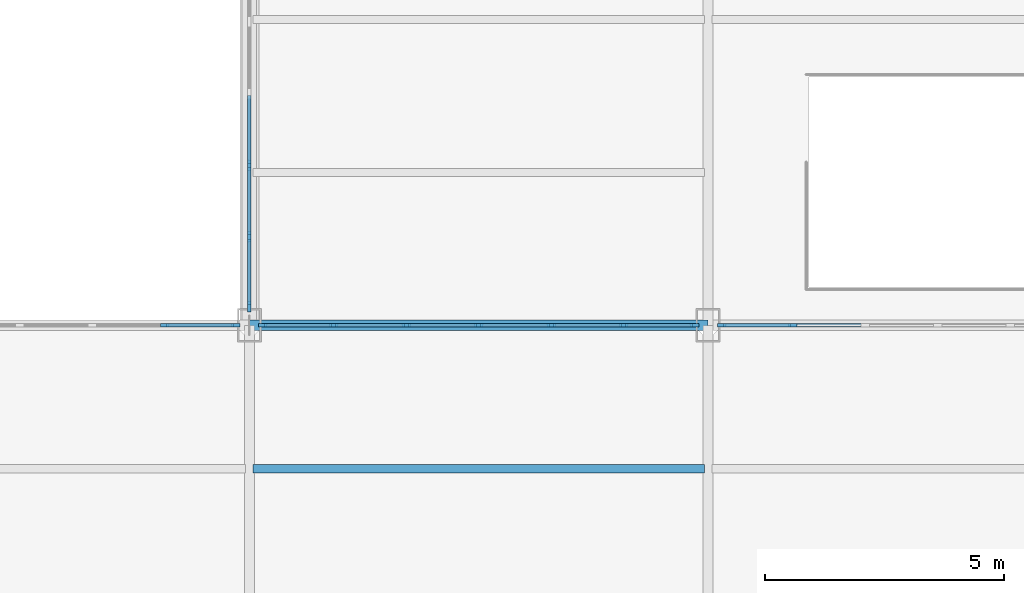
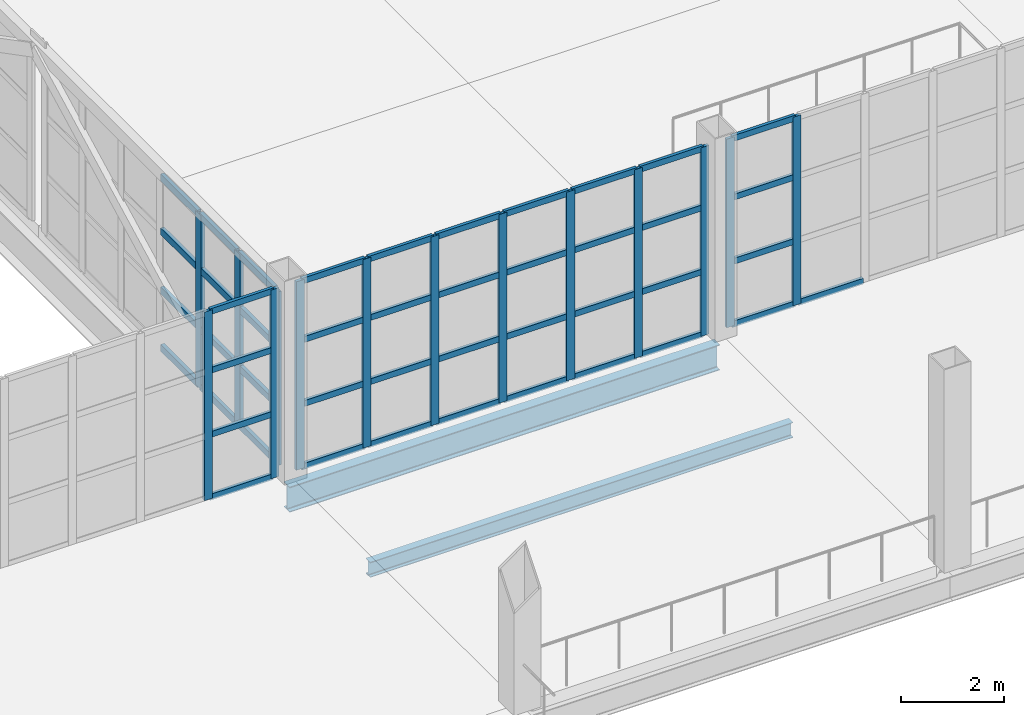
# One storey, part 42 of 120: 59 members, 2 beams, 4 elements without a shape of their own.
"""IFC4 building model written with IfcOpenShell, lengths in metres."""

from ifc_helpers import new_model, si_unit, direction, frame, origin, origin_2d, place, context, subcontext, project, spatial, rectangle, i_section, extrude, material, layer, layer_set, material_profile, profile_set, type_object, element, aggregate, save


model = new_model("IFC4")

# Units and contexts
model_context = context("Model", 3, precision=1e-05, world=origin(), true_north=direction((0.0, 1.0)))
body_context = subcontext(model_context, "Body", "Model", "MODEL_VIEW")
ifc_project = project(units=[si_unit("LENGTHUNIT", "METRE"), si_unit("AREAUNIT", "SQUARE_METRE"), si_unit("VOLUMEUNIT", "CUBIC_METRE"), si_unit("PLANEANGLEUNIT", "RADIAN"), si_unit("MASSUNIT", "GRAM", prefix="KILO")], contexts=[model_context])

# Site, building, storey
site_placement = place(None, origin())
site = spatial("IfcSite", under=ifc_project, at=site_placement, CompositionType="ELEMENT")
building_placement = place(site_placement, origin())
building = spatial("IfcBuilding", under=site, at=building_placement, Name="Zarnetskaya Central Station", CompositionType="ELEMENT")
storey_placement = place(building_placement, frame((0.0, 0.0, 5.39990234375)))
storey = spatial("IfcBuildingStorey", under=building, at=storey_placement, Name="L01", CompositionType="ELEMENT", Elevation=5.39990234375)

# Beam
ifc_material_1 = material(Name="Steel S355", Category="steel")
ifc_material_profile_1 = material_profile(ifc_material_1, i_section(OverallWidth=0.169921875, OverallDepth=0.360107421875, WebThickness=0.008056640625, FlangeThickness=0.0126953125, FilletRadius=0.01806640625, at=origin_2d()), Name="IPE 360")
ifc_profile_set_1 = profile_set([ifc_material_profile_1], Name="Steel S355")
beam_type_1 = type_object("IfcBeamType", Name="BM-SEC-360", PredefinedType="BEAM", material=ifc_profile_set_1)
beam_1_placement = place(storey_placement, frame((67.280029296875, 64.199951171875, -0.4599609375), z_axis=(1.0, 0.0, 0.0), x_axis=(0.0, 1.0, 0.0)))
element("IfcBeam", 1, at=beam_1_placement, inside=storey, type_object=beam_type_1, Name="Secondary floor beam SEC-L01-Z512-HJ-89-2", PredefinedType="BEAM", context=body_context, shape_type="SweptSolid", body=[
    extrude(i_section(OverallWidth=0.169921875, OverallDepth=0.360107421875, WebThickness=0.008056640625, FlangeThickness=0.0126953125, FilletRadius=0.01806640625, at=origin_2d()), origin(), (0.0, 0.0, 1.0), 9.43994140625),
])

# Curtain wall, members
ifc_material_2 = material(Name="Low-E insulated glass", Category="glass")
ifc_layer_1 = layer(ifc_material_2, 0.159912109375, Name="Low-E insulated glass", Category="glass")
ifc_layer_set_1 = layer_set([ifc_layer_1], Name="Low-E insulated glass")
curtain_wall_type_1 = type_object("IfcCurtainWallType", Name="CW-SYS-11", PredefinedType="USERDEFINED", material=ifc_layer_set_1)
curtain_wall_1_placement = place(storey_placement, origin())
curtain_wall_1 = element("IfcCurtainWall", 2, at=curtain_wall_1_placement, inside=storey, type_object=curtain_wall_type_1, Name="Curtain wall CW-L01-075", ObjectType="CURTAIN WALL", PredefinedType="USERDEFINED")
ifc_material_3 = material(Name="Anodised aluminium", Category="aluminium")
ifc_material_profile_2 = material_profile(ifc_material_3, rectangle(XDim=0.070068359375, YDim=0.179931640625, at=origin_2d()), Name="ALU MULL 70x180")
ifc_profile_set_2 = profile_set([ifc_material_profile_2], Name="Anodised aluminium")
member_type_1 = type_object("IfcMemberType", Name="CW-MULL-180", PredefinedType="MULLION", material=ifc_profile_set_2)
member_1_placement = place(storey_placement, frame((65.433349609375, 67.199951171875, 0.0), z_axis=(0.0, 0.0, 1.0), x_axis=(0.0, 1.0, 0.0)))
member_1 = element("IfcMember", 3, at=member_1_placement, type_object=member_type_1, Name="CW-09 mullion 6", PredefinedType="MULLION", context=body_context, shape_type="SweptSolid", body=[
    extrude(rectangle(XDim=0.070068359375, YDim=0.179931640625, at=origin_2d()), origin(), (0.0, 0.0, 1.0), 4.4501953125),
])
member_2_placement = place(storey_placement, frame((66.9150390625, 67.199951171875, 0.0), z_axis=(0.0, 0.0, 1.0), x_axis=(0.0, 1.0, 0.0)))
member_2 = element("IfcMember", 4, at=member_2_placement, type_object=member_type_1, Name="CW-09 mullion 7", PredefinedType="MULLION", context=body_context, shape_type="SweptSolid", body=[
    extrude(rectangle(XDim=0.070068359375, YDim=0.179931640625, at=origin_2d()), origin(), (0.0, 0.0, 1.0), 4.4501953125),
])

ifc_layer_2 = layer(ifc_material_2, 0.1640625, Name="Low-E insulated glass", Category="glass")
ifc_layer_set_2 = layer_set([ifc_layer_2], Name="Low-E insulated glass")
curtain_wall_type_2 = type_object("IfcCurtainWallType", Name="CW-SYS-12", PredefinedType="USERDEFINED", material=ifc_layer_set_2)
curtain_wall_2_placement = place(storey_placement, origin())
curtain_wall_2 = element("IfcCurtainWall", 5, at=curtain_wall_2_placement, inside=storey, type_object=curtain_wall_type_2, Name="Curtain wall CW-L01-077", ObjectType="CURTAIN WALL", PredefinedType="USERDEFINED")
member_3_placement = place(storey_placement, frame((67.485107421875, 67.199951171875, 0.0), z_axis=(0.0, 0.0, 1.0), x_axis=(0.0, 1.0, 0.0)))
member_3 = element("IfcMember", 6, at=member_3_placement, type_object=member_type_1, Name="CW-18 mullion 1", PredefinedType="MULLION", context=body_context, shape_type="SweptSolid", body=[
    extrude(rectangle(XDim=0.070068359375, YDim=0.179931640625, at=origin_2d()), origin(), (0.0, 0.0, 1.0), 4.4501953125),
])
member_4_placement = place(storey_placement, frame((68.966552734375, 67.199951171875, 0.0), z_axis=(0.0, 0.0, 1.0), x_axis=(0.0, 1.0, 0.0)))
member_4 = element("IfcMember", 7, at=member_4_placement, type_object=member_type_1, Name="CW-18 mullion 2", PredefinedType="MULLION", context=body_context, shape_type="SweptSolid", body=[
    extrude(rectangle(XDim=0.070068359375, YDim=0.179931640625, at=origin_2d()), origin(), (0.0, 0.0, 1.0), 4.4501953125),
])
member_5_placement = place(storey_placement, frame((70.4833984375, 67.199951171875, 0.0), z_axis=(0.0, 0.0, 1.0), x_axis=(0.0, 1.0, 0.0)))
member_5 = element("IfcMember", 8, at=member_5_placement, type_object=member_type_1, Name="CW-18 mullion 3", PredefinedType="MULLION", context=body_context, shape_type="SweptSolid", body=[
    extrude(rectangle(XDim=0.070068359375, YDim=0.179931640625, at=origin_2d()), origin(), (0.0, 0.0, 1.0), 4.4501953125),
])
member_6_placement = place(storey_placement, frame((72.0, 67.199951171875, 0.0), z_axis=(0.0, 0.0, 1.0), x_axis=(0.0, 1.0, 0.0)))
member_6 = element("IfcMember", 9, at=member_6_placement, type_object=member_type_1, Name="CW-18 mullion 4", PredefinedType="MULLION", context=body_context, shape_type="SweptSolid", body=[
    extrude(rectangle(XDim=0.070068359375, YDim=0.179931640625, at=origin_2d()), origin(), (0.0, 0.0, 1.0), 4.4501953125),
])
member_7_placement = place(storey_placement, frame((73.5166015625, 67.199951171875, 0.0), z_axis=(0.0, 0.0, 1.0), x_axis=(0.0, 1.0, 0.0)))
member_7 = element("IfcMember", 10, at=member_7_placement, type_object=member_type_1, Name="CW-18 mullion 5", PredefinedType="MULLION", context=body_context, shape_type="SweptSolid", body=[
    extrude(rectangle(XDim=0.070068359375, YDim=0.179931640625, at=origin_2d()), origin(), (0.0, 0.0, 1.0), 4.4501953125),
])
member_8_placement = place(storey_placement, frame((75.033447265625, 67.199951171875, 0.0), z_axis=(0.0, 0.0, 1.0), x_axis=(0.0, 1.0, 0.0)))
member_8 = element("IfcMember", 11, at=member_8_placement, type_object=member_type_1, Name="CW-18 mullion 6", PredefinedType="MULLION", context=body_context, shape_type="SweptSolid", body=[
    extrude(rectangle(XDim=0.070068359375, YDim=0.179931640625, at=origin_2d()), origin(), (0.0, 0.0, 1.0), 4.4501953125),
])
member_9_placement = place(storey_placement, frame((76.514892578125, 67.199951171875, 0.0), z_axis=(0.0, 0.0, 1.0), x_axis=(0.0, 1.0, 0.0)))
member_9 = element("IfcMember", 12, at=member_9_placement, type_object=member_type_1, Name="CW-18 mullion 7", PredefinedType="MULLION", context=body_context, shape_type="SweptSolid", body=[
    extrude(rectangle(XDim=0.070068359375, YDim=0.179931640625, at=origin_2d()), origin(), (0.0, 0.0, 1.0), 4.4501953125),
])

ifc_layer_3 = layer(ifc_material_2, 0.16796875, Name="Low-E insulated glass", Category="glass")
ifc_layer_set_3 = layer_set([ifc_layer_3], Name="Low-E insulated glass")
curtain_wall_type_3 = type_object("IfcCurtainWallType", Name="CW-SYS-13", PredefinedType="USERDEFINED", material=ifc_layer_set_3)
curtain_wall_3_placement = place(storey_placement, origin())
curtain_wall_3 = element("IfcCurtainWall", 13, at=curtain_wall_3_placement, inside=storey, type_object=curtain_wall_type_3, Name="Curtain wall CW-L01-079", ObjectType="CURTAIN WALL", PredefinedType="USERDEFINED")
member_10_placement = place(storey_placement, frame((77.0849609375, 67.199951171875, 0.0), z_axis=(0.0, 0.0, 1.0), x_axis=(0.0, 1.0, 0.0)))
member_10 = element("IfcMember", 14, at=member_10_placement, type_object=member_type_1, Name="CW-04 mullion 1", PredefinedType="MULLION", context=body_context, shape_type="SweptSolid", body=[
    extrude(rectangle(XDim=0.070068359375, YDim=0.179931640625, at=origin_2d()), origin(), (0.0, 0.0, 1.0), 4.4501953125),
])
member_11_placement = place(storey_placement, frame((78.566650390625, 67.199951171875, 0.0), z_axis=(0.0, 0.0, 1.0), x_axis=(0.0, 1.0, 0.0)))
member_11 = element("IfcMember", 15, at=member_11_placement, type_object=member_type_1, Name="CW-04 mullion 2", PredefinedType="MULLION", context=body_context, shape_type="SweptSolid", body=[
    extrude(rectangle(XDim=0.070068359375, YDim=0.179931640625, at=origin_2d()), origin(), (0.0, 0.0, 1.0), 4.4501953125),
])

ifc_layer_4 = layer(ifc_material_2, 0.172119140625, Name="Low-E insulated glass", Category="glass")
ifc_layer_set_4 = layer_set([ifc_layer_4], Name="Low-E insulated glass")
curtain_wall_type_4 = type_object("IfcCurtainWallType", Name="CW-SYS-09", PredefinedType="USERDEFINED", material=ifc_layer_set_4)
curtain_wall_4_placement = place(storey_placement, origin())
curtain_wall_4 = element("IfcCurtainWall", 16, at=curtain_wall_4_placement, inside=storey, type_object=curtain_wall_type_4, Name="Curtain wall CW-L01-146", ObjectType="CURTAIN WALL", PredefinedType="USERDEFINED")
ifc_material_profile_3 = material_profile(ifc_material_3, rectangle(XDim=0.080078125, YDim=0.219970703125, at=origin_2d()), Name="ALU MULL 80x220")
ifc_profile_set_3 = profile_set([ifc_material_profile_3], Name="Anodised aluminium")
member_type_2 = type_object("IfcMemberType", Name="CW-MULL-220", PredefinedType="MULLION", material=ifc_profile_set_3)
member_12_placement = place(storey_placement, frame((67.199951171875, 67.590087890625, 0.0), z_axis=(0.0, 0.0, 1.0), x_axis=(-1.0, 0.0, 0.0)))
member_12 = element("IfcMember", 17, at=member_12_placement, type_object=member_type_2, Name="CW-07 mullion 1", PredefinedType="MULLION", context=body_context, shape_type="SweptSolid", body=[
    extrude(rectangle(XDim=0.080078125, YDim=0.219970703125, at=origin_2d()), origin(), (0.0, 0.0, 1.0), 4.10009765625),
])
member_13_placement = place(storey_placement, frame((67.199951171875, 69.050048828125, 0.0), z_axis=(0.0, 0.0, 1.0), x_axis=(-1.0, 0.0, 0.0)))
member_13 = element("IfcMember", 18, at=member_13_placement, type_object=member_type_2, Name="CW-07 mullion 2", PredefinedType="MULLION", context=body_context, shape_type="SweptSolid", body=[
    extrude(rectangle(XDim=0.080078125, YDim=0.219970703125, at=origin_2d()), origin(), (0.0, 0.0, 1.0), 4.10009765625),
])
member_14_placement = place(storey_placement, frame((67.199951171875, 70.550048828125, 0.0), z_axis=(0.0, 0.0, 1.0), x_axis=(-1.0, 0.0, 0.0)))
member_14 = element("IfcMember", 19, at=member_14_placement, type_object=member_type_2, Name="CW-07 mullion 3", PredefinedType="MULLION", context=body_context, shape_type="SweptSolid", body=[
    extrude(rectangle(XDim=0.080078125, YDim=0.219970703125, at=origin_2d()), origin(), (0.0, 0.0, 1.0), 4.10009765625),
])

# Member
ifc_material_profile_4 = material_profile(ifc_material_3, rectangle(XDim=0.070068359375, YDim=0.139892578125, at=origin_2d()), Name="ALU TRAN 70x140")
ifc_profile_set_4 = profile_set([ifc_material_profile_4], Name="Anodised aluminium")
member_type_3 = type_object("IfcMemberType", Name="CW-TRAN-140", PredefinedType="USERDEFINED", material=ifc_profile_set_4)
member_15_placement = place(storey_placement, frame((65.46826171875, 67.199951171875, 0.03515625), z_axis=(1.0, 0.0, 0.0), x_axis=(0.0, 1.0, 0.0)))
member_15 = element("IfcMember", 20, at=member_15_placement, type_object=member_type_3, Name="CW-09 transom 6.1", ObjectType="TRANSOM", PredefinedType="USERDEFINED", context=body_context, shape_type="SweptSolid", body=[
    extrude(rectangle(XDim=0.070068359375, YDim=0.139892578125, at=origin_2d()), origin(), (0.0, 0.0, 1.0), 1.41162109375),
])

member_16_placement = place(storey_placement, frame((65.46826171875, 67.199951171875, 1.51318359375), z_axis=(1.0, 0.0, 0.0), x_axis=(0.0, 1.0, 0.0)))
member_16 = element("IfcMember", 21, at=member_16_placement, type_object=member_type_3, Name="CW-09 transom 6.2", ObjectType="TRANSOM", PredefinedType="USERDEFINED", context=body_context, shape_type="SweptSolid", body=[
    extrude(rectangle(XDim=0.070068359375, YDim=0.139892578125, at=origin_2d()), origin(), (0.0, 0.0, 1.0), 1.41162109375),
])

member_17_placement = place(storey_placement, frame((65.46826171875, 67.199951171875, 3.026123046875), z_axis=(1.0, 0.0, 0.0), x_axis=(0.0, 1.0, 0.0)))
member_17 = element("IfcMember", 22, at=member_17_placement, type_object=member_type_3, Name="CW-09 transom 6.3", ObjectType="TRANSOM", PredefinedType="USERDEFINED", context=body_context, shape_type="SweptSolid", body=[
    extrude(rectangle(XDim=0.070068359375, YDim=0.139892578125, at=origin_2d()), origin(), (0.0, 0.0, 1.0), 1.41162109375),
])

member_18_placement = place(storey_placement, frame((65.46826171875, 67.199951171875, 4.4150390625), z_axis=(1.0, 0.0, 0.0), x_axis=(0.0, 1.0, 0.0)))
member_18 = element("IfcMember", 23, at=member_18_placement, type_object=member_type_3, Name="CW-09 transom 6.4", ObjectType="TRANSOM", PredefinedType="USERDEFINED", context=body_context, shape_type="SweptSolid", body=[
    extrude(rectangle(XDim=0.070068359375, YDim=0.139892578125, at=origin_2d()), origin(), (0.0, 0.0, 1.0), 1.41162109375),
])

aggregate(curtain_wall_1, [member_1, member_2, member_15, member_16, member_17, member_18])

member_19_placement = place(storey_placement, frame((67.52001953125, 67.199951171875, 0.03515625), z_axis=(1.0, 0.0, 0.0), x_axis=(0.0, 1.0, 0.0)))
member_19 = element("IfcMember", 24, at=member_19_placement, type_object=member_type_3, Name="CW-18 transom 1.1", ObjectType="TRANSOM", PredefinedType="USERDEFINED", context=body_context, shape_type="SweptSolid", body=[
    extrude(rectangle(XDim=0.070068359375, YDim=0.139892578125, at=origin_2d()), origin(), (0.0, 0.0, 1.0), 1.41162109375),
])

member_20_placement = place(storey_placement, frame((67.52001953125, 67.199951171875, 1.51318359375), z_axis=(1.0, 0.0, 0.0), x_axis=(0.0, 1.0, 0.0)))
member_20 = element("IfcMember", 25, at=member_20_placement, type_object=member_type_3, Name="CW-18 transom 1.2", ObjectType="TRANSOM", PredefinedType="USERDEFINED", context=body_context, shape_type="SweptSolid", body=[
    extrude(rectangle(XDim=0.070068359375, YDim=0.139892578125, at=origin_2d()), origin(), (0.0, 0.0, 1.0), 1.41162109375),
])

member_21_placement = place(storey_placement, frame((67.52001953125, 67.199951171875, 3.026123046875), z_axis=(1.0, 0.0, 0.0), x_axis=(0.0, 1.0, 0.0)))
member_21 = element("IfcMember", 26, at=member_21_placement, type_object=member_type_3, Name="CW-18 transom 1.3", ObjectType="TRANSOM", PredefinedType="USERDEFINED", context=body_context, shape_type="SweptSolid", body=[
    extrude(rectangle(XDim=0.070068359375, YDim=0.139892578125, at=origin_2d()), origin(), (0.0, 0.0, 1.0), 1.41162109375),
])

member_22_placement = place(storey_placement, frame((67.52001953125, 67.199951171875, 4.4150390625), z_axis=(1.0, 0.0, 0.0), x_axis=(0.0, 1.0, 0.0)))
member_22 = element("IfcMember", 27, at=member_22_placement, type_object=member_type_3, Name="CW-18 transom 1.4", ObjectType="TRANSOM", PredefinedType="USERDEFINED", context=body_context, shape_type="SweptSolid", body=[
    extrude(rectangle(XDim=0.070068359375, YDim=0.139892578125, at=origin_2d()), origin(), (0.0, 0.0, 1.0), 1.41162109375),
])

member_23_placement = place(storey_placement, frame((69.001708984375, 67.199951171875, 0.03515625), z_axis=(1.0, 0.0, 0.0), x_axis=(0.0, 1.0, 0.0)))
member_23 = element("IfcMember", 28, at=member_23_placement, type_object=member_type_3, Name="CW-18 transom 2.1", ObjectType="TRANSOM", PredefinedType="USERDEFINED", context=body_context, shape_type="SweptSolid", body=[
    extrude(rectangle(XDim=0.070068359375, YDim=0.139892578125, at=origin_2d()), origin(), (0.0, 0.0, 1.0), 1.446533203125),
])

member_24_placement = place(storey_placement, frame((69.001708984375, 67.199951171875, 1.51318359375), z_axis=(1.0, 0.0, 0.0), x_axis=(0.0, 1.0, 0.0)))
member_24 = element("IfcMember", 29, at=member_24_placement, type_object=member_type_3, Name="CW-18 transom 2.2", ObjectType="TRANSOM", PredefinedType="USERDEFINED", context=body_context, shape_type="SweptSolid", body=[
    extrude(rectangle(XDim=0.070068359375, YDim=0.139892578125, at=origin_2d()), origin(), (0.0, 0.0, 1.0), 1.446533203125),
])

member_25_placement = place(storey_placement, frame((69.001708984375, 67.199951171875, 3.026123046875), z_axis=(1.0, 0.0, 0.0), x_axis=(0.0, 1.0, 0.0)))
member_25 = element("IfcMember", 30, at=member_25_placement, type_object=member_type_3, Name="CW-18 transom 2.3", ObjectType="TRANSOM", PredefinedType="USERDEFINED", context=body_context, shape_type="SweptSolid", body=[
    extrude(rectangle(XDim=0.070068359375, YDim=0.139892578125, at=origin_2d()), origin(), (0.0, 0.0, 1.0), 1.446533203125),
])

member_26_placement = place(storey_placement, frame((69.001708984375, 67.199951171875, 4.4150390625), z_axis=(1.0, 0.0, 0.0), x_axis=(0.0, 1.0, 0.0)))
member_26 = element("IfcMember", 31, at=member_26_placement, type_object=member_type_3, Name="CW-18 transom 2.4", ObjectType="TRANSOM", PredefinedType="USERDEFINED", context=body_context, shape_type="SweptSolid", body=[
    extrude(rectangle(XDim=0.070068359375, YDim=0.139892578125, at=origin_2d()), origin(), (0.0, 0.0, 1.0), 1.446533203125),
])

member_27_placement = place(storey_placement, frame((70.518310546875, 67.199951171875, 0.03515625), z_axis=(1.0, 0.0, 0.0), x_axis=(0.0, 1.0, 0.0)))
member_27 = element("IfcMember", 32, at=member_27_placement, type_object=member_type_3, Name="CW-18 transom 3.1", ObjectType="TRANSOM", PredefinedType="USERDEFINED", context=body_context, shape_type="SweptSolid", body=[
    extrude(rectangle(XDim=0.070068359375, YDim=0.139892578125, at=origin_2d()), origin(), (0.0, 0.0, 1.0), 1.44677734375),
])

member_28_placement = place(storey_placement, frame((70.518310546875, 67.199951171875, 1.51318359375), z_axis=(1.0, 0.0, 0.0), x_axis=(0.0, 1.0, 0.0)))
member_28 = element("IfcMember", 33, at=member_28_placement, type_object=member_type_3, Name="CW-18 transom 3.2", ObjectType="TRANSOM", PredefinedType="USERDEFINED", context=body_context, shape_type="SweptSolid", body=[
    extrude(rectangle(XDim=0.070068359375, YDim=0.139892578125, at=origin_2d()), origin(), (0.0, 0.0, 1.0), 1.44677734375),
])

member_29_placement = place(storey_placement, frame((70.518310546875, 67.199951171875, 3.026123046875), z_axis=(1.0, 0.0, 0.0), x_axis=(0.0, 1.0, 0.0)))
member_29 = element("IfcMember", 34, at=member_29_placement, type_object=member_type_3, Name="CW-18 transom 3.3", ObjectType="TRANSOM", PredefinedType="USERDEFINED", context=body_context, shape_type="SweptSolid", body=[
    extrude(rectangle(XDim=0.070068359375, YDim=0.139892578125, at=origin_2d()), origin(), (0.0, 0.0, 1.0), 1.44677734375),
])

member_30_placement = place(storey_placement, frame((70.518310546875, 67.199951171875, 4.4150390625), z_axis=(1.0, 0.0, 0.0), x_axis=(0.0, 1.0, 0.0)))
member_30 = element("IfcMember", 35, at=member_30_placement, type_object=member_type_3, Name="CW-18 transom 3.4", ObjectType="TRANSOM", PredefinedType="USERDEFINED", context=body_context, shape_type="SweptSolid", body=[
    extrude(rectangle(XDim=0.070068359375, YDim=0.139892578125, at=origin_2d()), origin(), (0.0, 0.0, 1.0), 1.44677734375),
])

member_31_placement = place(storey_placement, frame((72.034912109375, 67.199951171875, 0.03515625), z_axis=(1.0, 0.0, 0.0), x_axis=(0.0, 1.0, 0.0)))
member_31 = element("IfcMember", 36, at=member_31_placement, type_object=member_type_3, Name="CW-18 transom 4.1", ObjectType="TRANSOM", PredefinedType="USERDEFINED", context=body_context, shape_type="SweptSolid", body=[
    extrude(rectangle(XDim=0.070068359375, YDim=0.139892578125, at=origin_2d()), origin(), (0.0, 0.0, 1.0), 1.44677734375),
])

member_32_placement = place(storey_placement, frame((72.034912109375, 67.199951171875, 1.51318359375), z_axis=(1.0, 0.0, 0.0), x_axis=(0.0, 1.0, 0.0)))
member_32 = element("IfcMember", 37, at=member_32_placement, type_object=member_type_3, Name="CW-18 transom 4.2", ObjectType="TRANSOM", PredefinedType="USERDEFINED", context=body_context, shape_type="SweptSolid", body=[
    extrude(rectangle(XDim=0.070068359375, YDim=0.139892578125, at=origin_2d()), origin(), (0.0, 0.0, 1.0), 1.44677734375),
])

member_33_placement = place(storey_placement, frame((72.034912109375, 67.199951171875, 3.026123046875), z_axis=(1.0, 0.0, 0.0), x_axis=(0.0, 1.0, 0.0)))
member_33 = element("IfcMember", 38, at=member_33_placement, type_object=member_type_3, Name="CW-18 transom 4.3", ObjectType="TRANSOM", PredefinedType="USERDEFINED", context=body_context, shape_type="SweptSolid", body=[
    extrude(rectangle(XDim=0.070068359375, YDim=0.139892578125, at=origin_2d()), origin(), (0.0, 0.0, 1.0), 1.44677734375),
])

member_34_placement = place(storey_placement, frame((72.034912109375, 67.199951171875, 4.4150390625), z_axis=(1.0, 0.0, 0.0), x_axis=(0.0, 1.0, 0.0)))
member_34 = element("IfcMember", 39, at=member_34_placement, type_object=member_type_3, Name="CW-18 transom 4.4", ObjectType="TRANSOM", PredefinedType="USERDEFINED", context=body_context, shape_type="SweptSolid", body=[
    extrude(rectangle(XDim=0.070068359375, YDim=0.139892578125, at=origin_2d()), origin(), (0.0, 0.0, 1.0), 1.44677734375),
])

member_35_placement = place(storey_placement, frame((73.5517578125, 67.199951171875, 0.03515625), z_axis=(1.0, 0.0, 0.0), x_axis=(0.0, 1.0, 0.0)))
member_35 = element("IfcMember", 40, at=member_35_placement, type_object=member_type_3, Name="CW-18 transom 5.1", ObjectType="TRANSOM", PredefinedType="USERDEFINED", context=body_context, shape_type="SweptSolid", body=[
    extrude(rectangle(XDim=0.070068359375, YDim=0.139892578125, at=origin_2d()), origin(), (0.0, 0.0, 1.0), 1.446533203125),
])

member_36_placement = place(storey_placement, frame((73.5517578125, 67.199951171875, 1.51318359375), z_axis=(1.0, 0.0, 0.0), x_axis=(0.0, 1.0, 0.0)))
member_36 = element("IfcMember", 41, at=member_36_placement, type_object=member_type_3, Name="CW-18 transom 5.2", ObjectType="TRANSOM", PredefinedType="USERDEFINED", context=body_context, shape_type="SweptSolid", body=[
    extrude(rectangle(XDim=0.070068359375, YDim=0.139892578125, at=origin_2d()), origin(), (0.0, 0.0, 1.0), 1.446533203125),
])

member_37_placement = place(storey_placement, frame((73.5517578125, 67.199951171875, 3.026123046875), z_axis=(1.0, 0.0, 0.0), x_axis=(0.0, 1.0, 0.0)))
member_37 = element("IfcMember", 42, at=member_37_placement, type_object=member_type_3, Name="CW-18 transom 5.3", ObjectType="TRANSOM", PredefinedType="USERDEFINED", context=body_context, shape_type="SweptSolid", body=[
    extrude(rectangle(XDim=0.070068359375, YDim=0.139892578125, at=origin_2d()), origin(), (0.0, 0.0, 1.0), 1.446533203125),
])

member_38_placement = place(storey_placement, frame((73.5517578125, 67.199951171875, 4.4150390625), z_axis=(1.0, 0.0, 0.0), x_axis=(0.0, 1.0, 0.0)))
member_38 = element("IfcMember", 43, at=member_38_placement, type_object=member_type_3, Name="CW-18 transom 5.4", ObjectType="TRANSOM", PredefinedType="USERDEFINED", context=body_context, shape_type="SweptSolid", body=[
    extrude(rectangle(XDim=0.070068359375, YDim=0.139892578125, at=origin_2d()), origin(), (0.0, 0.0, 1.0), 1.446533203125),
])

member_39_placement = place(storey_placement, frame((75.068359375, 67.199951171875, 0.03515625), z_axis=(1.0, 0.0, 0.0), x_axis=(0.0, 1.0, 0.0)))
member_39 = element("IfcMember", 44, at=member_39_placement, type_object=member_type_3, Name="CW-18 transom 6.1", ObjectType="TRANSOM", PredefinedType="USERDEFINED", context=body_context, shape_type="SweptSolid", body=[
    extrude(rectangle(XDim=0.070068359375, YDim=0.139892578125, at=origin_2d()), origin(), (0.0, 0.0, 1.0), 1.41162109375),
])

member_40_placement = place(storey_placement, frame((75.068359375, 67.199951171875, 1.51318359375), z_axis=(1.0, 0.0, 0.0), x_axis=(0.0, 1.0, 0.0)))
member_40 = element("IfcMember", 45, at=member_40_placement, type_object=member_type_3, Name="CW-18 transom 6.2", ObjectType="TRANSOM", PredefinedType="USERDEFINED", context=body_context, shape_type="SweptSolid", body=[
    extrude(rectangle(XDim=0.070068359375, YDim=0.139892578125, at=origin_2d()), origin(), (0.0, 0.0, 1.0), 1.41162109375),
])

member_41_placement = place(storey_placement, frame((75.068359375, 67.199951171875, 3.026123046875), z_axis=(1.0, 0.0, 0.0), x_axis=(0.0, 1.0, 0.0)))
member_41 = element("IfcMember", 46, at=member_41_placement, type_object=member_type_3, Name="CW-18 transom 6.3", ObjectType="TRANSOM", PredefinedType="USERDEFINED", context=body_context, shape_type="SweptSolid", body=[
    extrude(rectangle(XDim=0.070068359375, YDim=0.139892578125, at=origin_2d()), origin(), (0.0, 0.0, 1.0), 1.41162109375),
])

member_42_placement = place(storey_placement, frame((75.068359375, 67.199951171875, 4.4150390625), z_axis=(1.0, 0.0, 0.0), x_axis=(0.0, 1.0, 0.0)))
member_42 = element("IfcMember", 47, at=member_42_placement, type_object=member_type_3, Name="CW-18 transom 6.4", ObjectType="TRANSOM", PredefinedType="USERDEFINED", context=body_context, shape_type="SweptSolid", body=[
    extrude(rectangle(XDim=0.070068359375, YDim=0.139892578125, at=origin_2d()), origin(), (0.0, 0.0, 1.0), 1.41162109375),
])

aggregate(curtain_wall_2, [member_3, member_4, member_5, member_6, member_7, member_8, member_9, member_19, member_20, member_21, member_22, member_23, member_24, member_25, member_26, member_27, member_28, member_29, member_30, member_31, member_32, member_33, member_34, member_35, member_36, member_37, member_38, member_39, member_40, member_41, member_42])

member_43_placement = place(storey_placement, frame((77.1201171875, 67.199951171875, 0.03515625), z_axis=(1.0, 0.0, 0.0), x_axis=(0.0, 1.0, 0.0)))
member_43 = element("IfcMember", 48, at=member_43_placement, type_object=member_type_3, Name="CW-04 transom 1.1", ObjectType="TRANSOM", PredefinedType="USERDEFINED", context=body_context, shape_type="SweptSolid", body=[
    extrude(rectangle(XDim=0.070068359375, YDim=0.139892578125, at=origin_2d()), origin(), (0.0, 0.0, 1.0), 1.41162109375),
])

member_44_placement = place(storey_placement, frame((77.1201171875, 67.199951171875, 1.51318359375), z_axis=(1.0, 0.0, 0.0), x_axis=(0.0, 1.0, 0.0)))
member_44 = element("IfcMember", 49, at=member_44_placement, type_object=member_type_3, Name="CW-04 transom 1.2", ObjectType="TRANSOM", PredefinedType="USERDEFINED", context=body_context, shape_type="SweptSolid", body=[
    extrude(rectangle(XDim=0.070068359375, YDim=0.139892578125, at=origin_2d()), origin(), (0.0, 0.0, 1.0), 1.41162109375),
])

member_45_placement = place(storey_placement, frame((77.1201171875, 67.199951171875, 3.026123046875), z_axis=(1.0, 0.0, 0.0), x_axis=(0.0, 1.0, 0.0)))
member_45 = element("IfcMember", 50, at=member_45_placement, type_object=member_type_3, Name="CW-04 transom 1.3", ObjectType="TRANSOM", PredefinedType="USERDEFINED", context=body_context, shape_type="SweptSolid", body=[
    extrude(rectangle(XDim=0.070068359375, YDim=0.139892578125, at=origin_2d()), origin(), (0.0, 0.0, 1.0), 1.41162109375),
])

member_46_placement = place(storey_placement, frame((77.1201171875, 67.199951171875, 4.4150390625), z_axis=(1.0, 0.0, 0.0), x_axis=(0.0, 1.0, 0.0)))
member_46 = element("IfcMember", 51, at=member_46_placement, type_object=member_type_3, Name="CW-04 transom 1.4", ObjectType="TRANSOM", PredefinedType="USERDEFINED", context=body_context, shape_type="SweptSolid", body=[
    extrude(rectangle(XDim=0.070068359375, YDim=0.139892578125, at=origin_2d()), origin(), (0.0, 0.0, 1.0), 1.41162109375),
])

member_47_placement = place(storey_placement, frame((78.6015625, 67.199951171875, 0.03515625), z_axis=(1.0, 0.0, 0.0), x_axis=(0.0, 1.0, 0.0)))
member_47 = element("IfcMember", 52, at=member_47_placement, type_object=member_type_3, Name="CW-04 transom 2.1", ObjectType="TRANSOM", PredefinedType="USERDEFINED", context=body_context, shape_type="SweptSolid", body=[
    extrude(rectangle(XDim=0.070068359375, YDim=0.139892578125, at=origin_2d()), origin(), (0.0, 0.0, 1.0), 1.44677734375),
])

aggregate(curtain_wall_3, [member_10, member_11, member_43, member_44, member_45, member_46, member_47])

ifc_material_profile_5 = material_profile(ifc_material_3, rectangle(XDim=0.080078125, YDim=0.159912109375, at=origin_2d()), Name="ALU TRAN 80x160")
ifc_profile_set_5 = profile_set([ifc_material_profile_5], Name="Anodised aluminium")
member_type_4 = type_object("IfcMemberType", Name="CW-TRAN-160", PredefinedType="USERDEFINED", material=ifc_profile_set_5)
member_48_placement = place(storey_placement, frame((67.199951171875, 67.6298828125, 0.0400390625), z_axis=(0.0, 1.0, 0.0), x_axis=(-1.0, 0.0, 0.0)))
member_48 = element("IfcMember", 53, at=member_48_placement, type_object=member_type_4, Name="CW-07 transom 1.1", ObjectType="TRANSOM", PredefinedType="USERDEFINED", context=body_context, shape_type="SweptSolid", body=[
    extrude(rectangle(XDim=0.080078125, YDim=0.159912109375, at=origin_2d()), origin(), (0.0, 0.0, 1.0), 1.380126953125),
])

member_49_placement = place(storey_placement, frame((67.199951171875, 67.6298828125, 1.39404296875), z_axis=(0.0, 1.0, 0.0), x_axis=(-1.0, 0.0, 0.0)))
member_49 = element("IfcMember", 54, at=member_49_placement, type_object=member_type_4, Name="CW-07 transom 1.2", ObjectType="TRANSOM", PredefinedType="USERDEFINED", context=body_context, shape_type="SweptSolid", body=[
    extrude(rectangle(XDim=0.080078125, YDim=0.159912109375, at=origin_2d()), origin(), (0.0, 0.0, 1.0), 1.380126953125),
])

member_50_placement = place(storey_placement, frame((67.199951171875, 67.6298828125, 2.7880859375), z_axis=(0.0, 1.0, 0.0), x_axis=(-1.0, 0.0, 0.0)))
member_50 = element("IfcMember", 55, at=member_50_placement, type_object=member_type_4, Name="CW-07 transom 1.3", ObjectType="TRANSOM", PredefinedType="USERDEFINED", context=body_context, shape_type="SweptSolid", body=[
    extrude(rectangle(XDim=0.080078125, YDim=0.159912109375, at=origin_2d()), origin(), (0.0, 0.0, 1.0), 1.380126953125),
])

member_51_placement = place(storey_placement, frame((67.199951171875, 67.6298828125, 4.06005859375), z_axis=(0.0, 1.0, 0.0), x_axis=(-1.0, 0.0, 0.0)))
member_51 = element("IfcMember", 56, at=member_51_placement, type_object=member_type_4, Name="CW-07 transom 1.4", ObjectType="TRANSOM", PredefinedType="USERDEFINED", context=body_context, shape_type="SweptSolid", body=[
    extrude(rectangle(XDim=0.080078125, YDim=0.159912109375, at=origin_2d()), origin(), (0.0, 0.0, 1.0), 1.380126953125),
])

member_52_placement = place(storey_placement, frame((67.199951171875, 69.090087890625, 0.0400390625), z_axis=(0.0, 1.0, 0.0), x_axis=(-1.0, 0.0, 0.0)))
member_52 = element("IfcMember", 57, at=member_52_placement, type_object=member_type_4, Name="CW-07 transom 2.1", ObjectType="TRANSOM", PredefinedType="USERDEFINED", context=body_context, shape_type="SweptSolid", body=[
    extrude(rectangle(XDim=0.080078125, YDim=0.159912109375, at=origin_2d()), origin(), (0.0, 0.0, 1.0), 1.419921875),
])

member_53_placement = place(storey_placement, frame((67.199951171875, 69.090087890625, 1.39404296875), z_axis=(0.0, 1.0, 0.0), x_axis=(-1.0, 0.0, 0.0)))
member_53 = element("IfcMember", 58, at=member_53_placement, type_object=member_type_4, Name="CW-07 transom 2.2", ObjectType="TRANSOM", PredefinedType="USERDEFINED", context=body_context, shape_type="SweptSolid", body=[
    extrude(rectangle(XDim=0.080078125, YDim=0.159912109375, at=origin_2d()), origin(), (0.0, 0.0, 1.0), 1.419921875),
])

member_54_placement = place(storey_placement, frame((67.199951171875, 69.090087890625, 2.7880859375), z_axis=(0.0, 1.0, 0.0), x_axis=(-1.0, 0.0, 0.0)))
member_54 = element("IfcMember", 59, at=member_54_placement, type_object=member_type_4, Name="CW-07 transom 2.3", ObjectType="TRANSOM", PredefinedType="USERDEFINED", context=body_context, shape_type="SweptSolid", body=[
    extrude(rectangle(XDim=0.080078125, YDim=0.159912109375, at=origin_2d()), origin(), (0.0, 0.0, 1.0), 1.419921875),
])

member_55_placement = place(storey_placement, frame((67.199951171875, 69.090087890625, 4.06005859375), z_axis=(0.0, 1.0, 0.0), x_axis=(-1.0, 0.0, 0.0)))
member_55 = element("IfcMember", 60, at=member_55_placement, type_object=member_type_4, Name="CW-07 transom 2.4", ObjectType="TRANSOM", PredefinedType="USERDEFINED", context=body_context, shape_type="SweptSolid", body=[
    extrude(rectangle(XDim=0.080078125, YDim=0.159912109375, at=origin_2d()), origin(), (0.0, 0.0, 1.0), 1.419921875),
])

member_56_placement = place(storey_placement, frame((67.199951171875, 70.590087890625, 0.0400390625), z_axis=(0.0, 1.0, 0.0), x_axis=(-1.0, 0.0, 0.0)))
member_56 = element("IfcMember", 61, at=member_56_placement, type_object=member_type_4, Name="CW-07 transom 3.1", ObjectType="TRANSOM", PredefinedType="USERDEFINED", context=body_context, shape_type="SweptSolid", body=[
    extrude(rectangle(XDim=0.080078125, YDim=0.159912109375, at=origin_2d()), origin(), (0.0, 0.0, 1.0), 1.419921875),
])

member_57_placement = place(storey_placement, frame((67.199951171875, 70.590087890625, 1.39404296875), z_axis=(0.0, 1.0, 0.0), x_axis=(-1.0, 0.0, 0.0)))
member_57 = element("IfcMember", 62, at=member_57_placement, type_object=member_type_4, Name="CW-07 transom 3.2", ObjectType="TRANSOM", PredefinedType="USERDEFINED", context=body_context, shape_type="SweptSolid", body=[
    extrude(rectangle(XDim=0.080078125, YDim=0.159912109375, at=origin_2d()), origin(), (0.0, 0.0, 1.0), 1.419921875),
])

member_58_placement = place(storey_placement, frame((67.199951171875, 70.590087890625, 2.7880859375), z_axis=(0.0, 1.0, 0.0), x_axis=(-1.0, 0.0, 0.0)))
member_58 = element("IfcMember", 63, at=member_58_placement, type_object=member_type_4, Name="CW-07 transom 3.3", ObjectType="TRANSOM", PredefinedType="USERDEFINED", context=body_context, shape_type="SweptSolid", body=[
    extrude(rectangle(XDim=0.080078125, YDim=0.159912109375, at=origin_2d()), origin(), (0.0, 0.0, 1.0), 1.419921875),
])

member_59_placement = place(storey_placement, frame((67.199951171875, 70.590087890625, 4.06005859375), z_axis=(0.0, 1.0, 0.0), x_axis=(-1.0, 0.0, 0.0)))
member_59 = element("IfcMember", 64, at=member_59_placement, type_object=member_type_4, Name="CW-07 transom 3.4", ObjectType="TRANSOM", PredefinedType="USERDEFINED", context=body_context, shape_type="SweptSolid", body=[
    extrude(rectangle(XDim=0.080078125, YDim=0.159912109375, at=origin_2d()), origin(), (0.0, 0.0, 1.0), 1.419921875),
])

aggregate(curtain_wall_4, [member_12, member_13, member_14, member_48, member_49, member_50, member_51, member_52, member_53, member_54, member_55, member_56, member_57, member_58, member_59])

# Beam
ifc_material_profile_6 = material_profile(ifc_material_1, i_section(OverallWidth=0.219970703125, OverallDepth=0.60009765625, WebThickness=0.011962890625, FlangeThickness=0.01904296875, FilletRadius=0.02392578125, at=origin_2d()), Name="IPE 600")
ifc_profile_set_6 = profile_set([ifc_material_profile_6], Name="Steel S355")
beam_type_2 = type_object("IfcBeamType", Name="GD-FLR-600", PredefinedType="USERDEFINED", material=ifc_profile_set_6)
beam_2_placement = place(storey_placement, frame((67.199951171875, 67.199951171875, -0.579833984375), z_axis=(1.0, 0.0, 0.0), x_axis=(0.0, 1.0, 0.0)))
element("IfcBeam", 65, at=beam_2_placement, inside=storey, type_object=beam_type_2, Name="Grid girder GX-L01-9-HJ", ObjectType="GIRDER", PredefinedType="USERDEFINED", context=body_context, shape_type="SweptSolid", body=[
    extrude(i_section(OverallWidth=0.219970703125, OverallDepth=0.60009765625, WebThickness=0.011962890625, FlangeThickness=0.01904296875, FilletRadius=0.02392578125, at=origin_2d()), origin(), (0.0, 0.0, 1.0), 9.60009765625),
])

save(model, "model.ifc")
